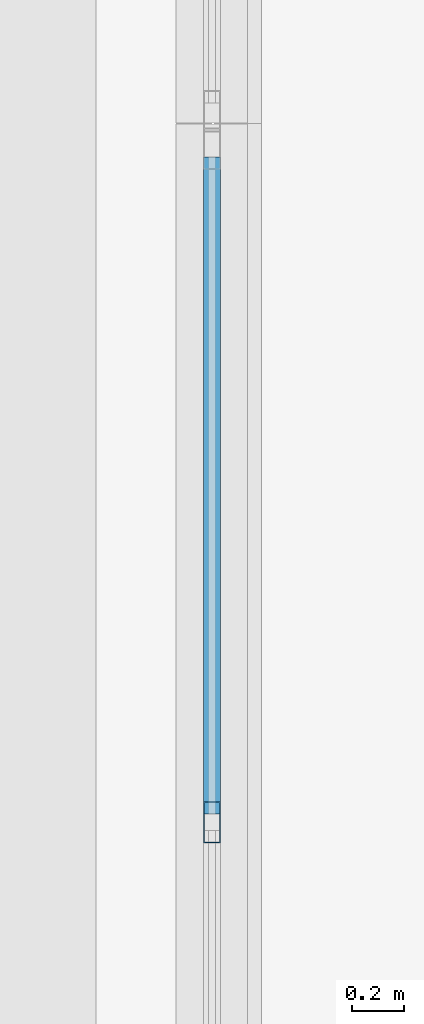
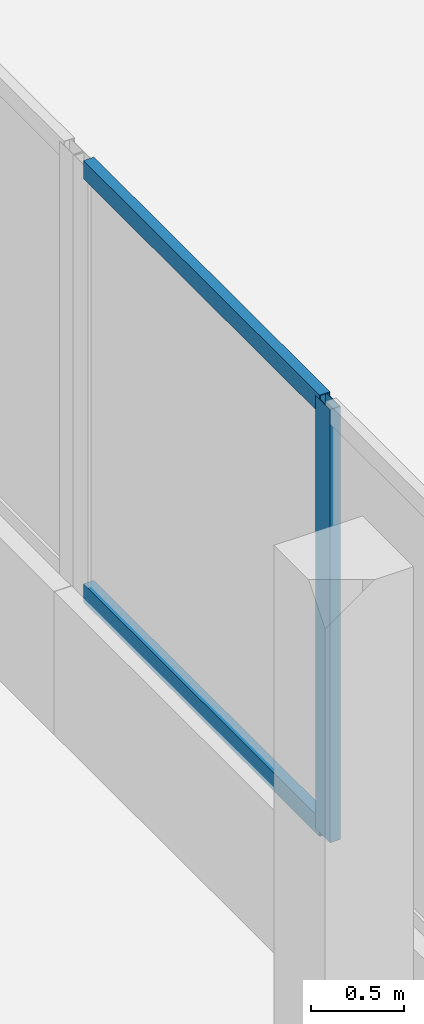
# One storey, part 43 of 66: 3 members, 1 element without a shape of its own.
"""IFC4 building model written with IfcOpenShell, lengths in metres."""

from ifc_helpers import new_model, si_unit, direction, frame, origin, origin_2d, place, context, subcontext, project, spatial, hollow_rectangle, extrude, material, material_profile, profile_set, type_object, element, aggregate, save


model = new_model("IFC4")

# Units and contexts
model_context = context("Model", 3, precision=1e-05, world=origin(), true_north=direction((0.0, 1.0)))
body_context = subcontext(model_context, "Body", "Model", "MODEL_VIEW")
ifc_project = project(units=[si_unit("LENGTHUNIT", "METRE"), si_unit("AREAUNIT", "SQUARE_METRE"), si_unit("VOLUMEUNIT", "CUBIC_METRE"), si_unit("PLANEANGLEUNIT", "RADIAN"), si_unit("MASSUNIT", "GRAM", prefix="KILO")], contexts=[model_context])

# Site, building, storey
site_placement = place(None, origin())
site = spatial("IfcSite", under=ifc_project, at=site_placement, CompositionType="ELEMENT")
building_placement = place(site_placement, origin())
building = spatial("IfcBuilding", under=site, at=building_placement, Name="Selatvlak General Hospital", CompositionType="ELEMENT")
storey_placement = place(building_placement, frame((0.0, 0.0, 31.35009765625)))
storey = spatial("IfcBuildingStorey", under=building, at=storey_placement, Name="L07", CompositionType="ELEMENT", Elevation=31.35009765625)

# Curtain wall, members
ifc_material_1 = material(Name="Solar-control Low-E double glazing", Category="glass")
curtain_wall_type = type_object("IfcCurtainWallType", Name="CW-CW-01", PredefinedType="USERDEFINED", material=ifc_material_1)
curtain_wall_placement = place(storey_placement, origin())
curtain_wall = element("IfcCurtainWall", 1, at=curtain_wall_placement, inside=storey, type_object=curtain_wall_type, Name="Glazed facade curtain wall CW-L07-0661", ObjectType="UNITISED CURTAIN WALL", PredefinedType="USERDEFINED")
ifc_material_2 = material(Name="Dark anodised aluminium mullion", Category="aluminium")
ifc_material_profile_1 = material_profile(ifc_material_2, hollow_rectangle(XDim=0.06494140625, YDim=0.159912109375, WallThickness=0.00390625, at=origin_2d()), Name="AL-MUL 65x160x4")
ifc_profile_set_1 = profile_set([ifc_material_profile_1], Name="Dark anodised aluminium mullion")
member_type_1 = type_object("IfcMemberType", Name="CWM-01", PredefinedType="MULLION", material=ifc_profile_set_1)
member_1_placement = place(storey_placement, frame((165.599365234375, 101.2958984375, 0.93994140625), z_axis=(0.0, 0.0, 1.0), x_axis=(0.999999992029, 0.000126262633, 0.0)))
member_1 = element("IfcMember", 2, at=member_1_placement, type_object=member_type_1, Name="CW-01 mullion 2", PredefinedType="MULLION", context=body_context, shape_type="SweptSolid", body=[
    extrude(hollow_rectangle(XDim=0.06494140625, YDim=0.159912109375, WallThickness=0.00390625, at=origin_2d()), origin(), (0.0, 0.0, 1.0), 2.844970703125),
])
ifc_material_profile_2 = material_profile(ifc_material_2, hollow_rectangle(XDim=0.06494140625, YDim=0.1201171875, WallThickness=0.00390625, at=origin_2d()), Name="AL-TRN 65x120x4")
ifc_profile_set_2 = profile_set([ifc_material_profile_2], Name="Dark anodised aluminium mullion")
member_type_2 = type_object("IfcMemberType", Name="CWT-01", PredefinedType="USERDEFINED", material=ifc_profile_set_2)
member_2_placement = place(storey_placement, frame((165.59912109375, 103.87109375, 0.972412109375), z_axis=(9.6024582e-05, -0.99999999539, 0.0), x_axis=(0.99999999539, 9.6024582e-05, 0.0)))
member_2 = element("IfcMember", 3, at=member_2_placement, type_object=member_type_2, Name="CW-01 transom 1.1", ObjectType="TRANSOM", PredefinedType="USERDEFINED", context=body_context, shape_type="SweptSolid", body=[
    extrude(hollow_rectangle(XDim=0.06494140625, YDim=0.1201171875, WallThickness=0.00390625, at=origin_2d()), origin(), (0.0, 0.0, 1.0), 2.54248046875),
])
member_3_placement = place(storey_placement, frame((165.59912109375, 103.87109375, 3.75244140625), z_axis=(9.6024582e-05, -0.99999999539, 0.0), x_axis=(0.99999999539, 9.6024582e-05, 0.0)))
member_3 = element("IfcMember", 4, at=member_3_placement, type_object=member_type_2, Name="CW-01 transom 1.2", ObjectType="TRANSOM", PredefinedType="USERDEFINED", context=body_context, shape_type="SweptSolid", body=[
    extrude(hollow_rectangle(XDim=0.06494140625, YDim=0.1201171875, WallThickness=0.00390625, at=origin_2d()), origin(), (0.0, 0.0, 1.0), 2.54248046875),
])
aggregate(curtain_wall, [member_1, member_2, member_3])

save(model, "model.ifc")
